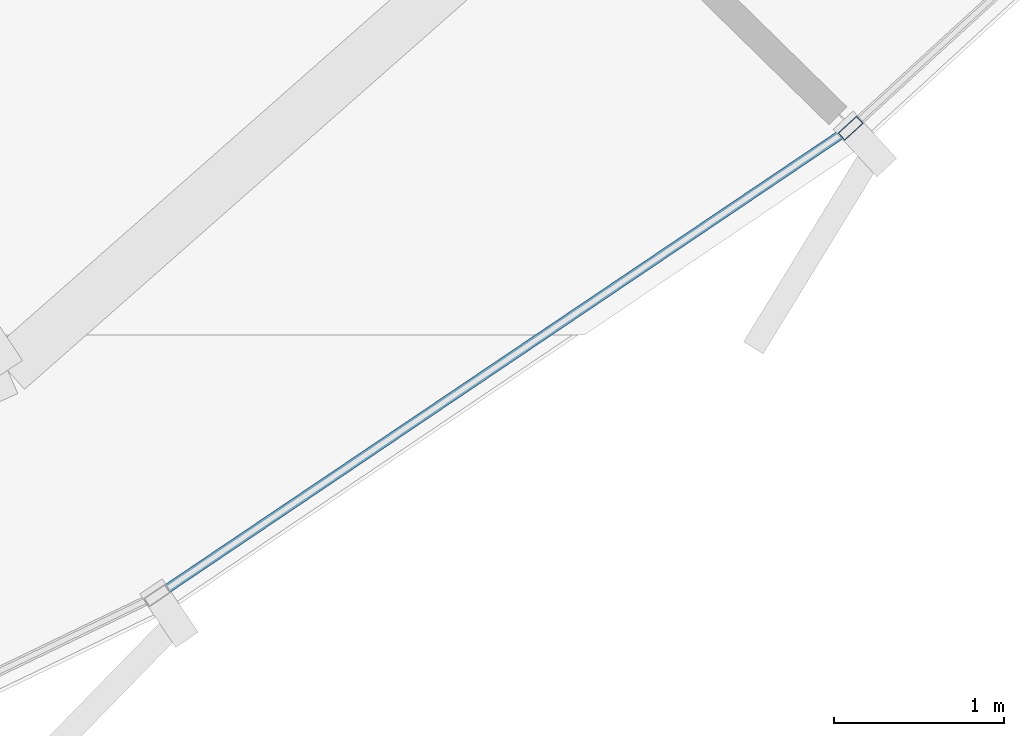
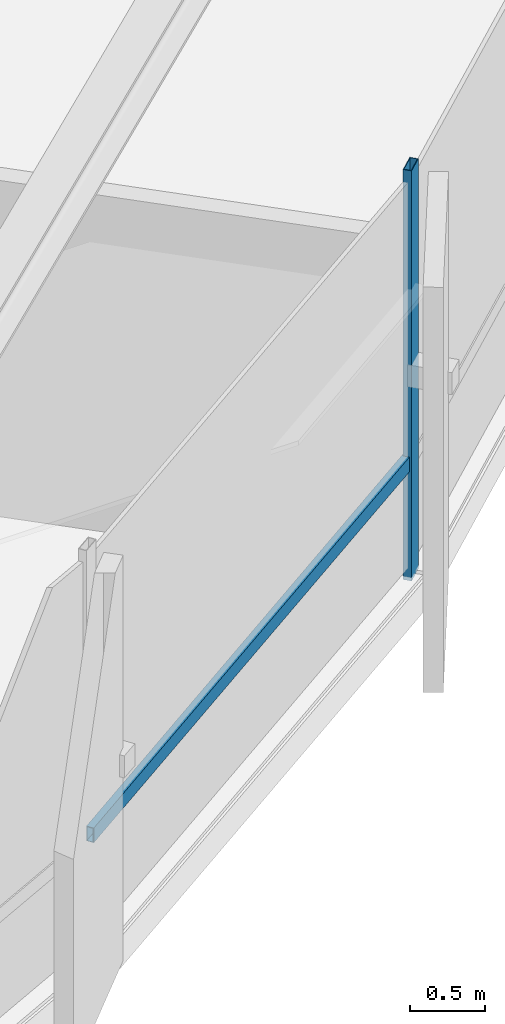
# One storey, part 12 of 35: 2 members, 1 element without a shape of its own.
"""IFC4 building model written with IfcOpenShell, lengths in metres."""

import ifcopenshell
import ifcopenshell.guid

model = None  # the IFC model being written
_history = None  # IfcOwnerHistory: only IFC2X3 demands one
_inside = {}  # id of a spatial element -> (the spatial element, [elements in it])
_under = {}  # id of a project, library or spatial element -> (it, [spatial elements below it])
_declared = {}  # id of a project -> (the project, [libraries it declares])
_typed = {}  # id of a type object -> (the type object, [elements of that type])
_made_of = {}  # id of a material, layer set ... -> (it, [elements and type objects made of it])


def new_model(schema):
    """Start an empty IFC model of exactly this schema.

    Asked for "IFC4X3", IfcOpenShell would pick the latest addendum, in which some entities
    have other attributes; the version numbers below select the first issue.
    IFC2X3 requires an IfcOwnerHistory on every rooted entity: one is made here for all.
    """
    global model, _history
    if schema == "IFC4X3":
        model = ifcopenshell.file(schema_version=(4, 3, 0, 0))
    else:
        model = ifcopenshell.file(schema=schema)
    _inside.clear()
    _under.clear()
    _declared.clear()
    _typed.clear()
    _made_of.clear()
    _history = None
    if model.schema == "IFC2X3":
        org = make("IfcOrganization", Name="unknown")
        user = make(
            "IfcPersonAndOrganization",
            ThePerson=make("IfcPerson", FamilyName="unknown"),
            TheOrganization=org,
        )
        app = make(
            "IfcApplication",
            ApplicationDeveloper=org,
            Version="unknown",
            ApplicationFullName="unknown",
            ApplicationIdentifier="unknown",
        )
        _history = make(
            "IfcOwnerHistory",
            OwningUser=user,
            OwningApplication=app,
            ChangeAction="ADDED",
            CreationDate=0,
        )
    return model


def make(cls, **values):
    """One entity of the class cls with the attributes given. An attribute that is None is left unset."""
    return model.create_entity(
        cls, **{name: value for name, value in values.items() if value is not None}
    )


def rooted(cls, **values):
    """An entity with a GlobalId (a new one), such as an element, a storey or a relation."""
    return make(cls, GlobalId=ifcopenshell.guid.new(), OwnerHistory=_history, **values)


def si_unit(unit_type, name, prefix=None):
    """IfcSIUnit, for example si_unit("LENGTHUNIT", "METRE", prefix="MILLI")."""
    return make("IfcSIUnit", UnitType=unit_type, Prefix=prefix, Name=name)


def assignment(units):
    """IfcUnitAssignment: the units of a project."""
    return None if units is None else make("IfcUnitAssignment", Units=units)


def point(xyz):
    """IfcCartesianPoint."""
    return None if xyz is None else make("IfcCartesianPoint", Coordinates=xyz)


def direction(xyz):
    """IfcDirection."""
    return None if xyz is None else make("IfcDirection", DirectionRatios=xyz)


def frame(location, z_axis=None, x_axis=None):
    """IfcAxis2Placement3D, a coordinate frame: its origin and axes. An axis left out is left unset."""
    return make(
        "IfcAxis2Placement3D",
        Location=point(location),
        Axis=direction(z_axis),
        RefDirection=direction(x_axis),
    )


def frame_2d(location, x_axis=None):
    """IfcAxis2Placement2D, a coordinate frame in the plane: its origin and x axis."""
    return make(
        "IfcAxis2Placement2D", Location=point(location), RefDirection=direction(x_axis)
    )


def origin():
    """The frame at (0, 0, 0) with its axes left unset."""
    return frame((0.0, 0.0, 0.0))


def origin_2d():
    """The frame at (0, 0) in the plane with its x axis left unset."""
    return frame_2d((0.0, 0.0))


def place(relative_to, where):
    """IfcLocalPlacement: puts the frame where relative to a parent placement (None: the world)."""
    return make(
        "IfcLocalPlacement", PlacementRelTo=relative_to, RelativePlacement=where
    )


def context(
    kind, dimensions, precision=None, world=None, true_north=None, identifier=None
):
    """IfcGeometricRepresentationContext, for example the 3D "Model" context."""
    return make(
        "IfcGeometricRepresentationContext",
        ContextIdentifier=identifier,
        ContextType=kind,
        CoordinateSpaceDimension=dimensions,
        Precision=precision,
        WorldCoordinateSystem=world,
        TrueNorth=true_north,
    )


def subcontext(parent, identifier, kind, view, scale=None):
    """IfcGeometricRepresentationSubContext, for example "Body" below "Model"."""
    return make(
        "IfcGeometricRepresentationSubContext",
        ContextIdentifier=identifier,
        ContextType=kind,
        ParentContext=parent,
        TargetScale=scale,
        TargetView=view,
    )


def project(units=None, contexts=None):
    """IfcProject with its units and contexts."""
    return rooted(
        "IfcProject",
        Name="project",
        RepresentationContexts=contexts,
        UnitsInContext=assignment(units),
    )


def spatial(cls, under=None, at=None, **own):
    """A site, building, storey or space (cls), placed at a placement, below another one or the project."""
    s = rooted(cls, ObjectPlacement=at, **own)
    if under is not None:
        _under.setdefault(under.id(), (under, []))[1].append(s)
    return s


def profile(cls, at=None, kind="AREA", **sizes):
    """A parametric profile (cls). Its sizes go by their IFC names, for example OverallWidth=200.0."""
    return make(cls, ProfileType=kind, Position=at, **sizes)


def hollow_rectangle(**sizes):
    """IfcRectangleHollowProfileDef."""
    return profile("IfcRectangleHollowProfileDef", **sizes)


def extrude(swept, where, along, depth):
    """IfcExtrudedAreaSolid: the profile swept, set in the frame where, extruded along a direction by depth."""
    return make(
        "IfcExtrudedAreaSolid",
        SweptArea=swept,
        Position=where,
        ExtrudedDirection=direction(along),
        Depth=depth,
    )


def shape(context_of_items, identifier, shape_type, items):
    """IfcShapeRepresentation: the items that make up one representation, for example the "Body"."""
    return make(
        "IfcShapeRepresentation",
        ContextOfItems=context_of_items,
        RepresentationIdentifier=identifier,
        RepresentationType=shape_type,
        Items=items,
    )


def source(mapping_origin, context_of_items, identifier, shape_type, items):
    """IfcRepresentationMap: a shape defined once, which mapped items show again and again."""
    return make(
        "IfcRepresentationMap",
        MappingOrigin=mapping_origin,
        MappedRepresentation=shape(context_of_items, identifier, shape_type, items),
    )


def transform(
    local_origin,
    x_axis=None,
    y_axis=None,
    z_axis=None,
    scale=None,
    scale2=None,
    scale3=None,
    uniform=True,
):
    """IfcCartesianTransformationOperator3D, or its non-uniform kind. x_axis, y_axis, z_axis: its Axis1, 2, 3."""
    if uniform:
        return make(
            "IfcCartesianTransformationOperator3D",
            Axis1=direction(x_axis),
            Axis2=direction(y_axis),
            LocalOrigin=point(local_origin),
            Scale=scale,
            Axis3=direction(z_axis),
        )
    return make(
        "IfcCartesianTransformationOperator3DnonUniform",
        Axis1=direction(x_axis),
        Axis2=direction(y_axis),
        LocalOrigin=point(local_origin),
        Scale=scale,
        Axis3=direction(z_axis),
        Scale2=scale2,
        Scale3=scale3,
    )


def mapped(mapping_source, mapping_target):
    """IfcMappedItem: shows the shape of a source again, moved by a transform."""
    return make(
        "IfcMappedItem", MappingSource=mapping_source, MappingTarget=mapping_target
    )


def material(Name=None, Category=None):
    """IfcMaterial."""
    return make("IfcMaterial", Name=Name, Category=Category)


def layer(
    of_material, thickness, ventilated=None, Name=None, Category=None, Priority=None
):
    """IfcMaterialLayer: one layer of a wall or slab, of a material (None: an air gap)."""
    return make(
        "IfcMaterialLayer",
        Material=of_material,
        LayerThickness=thickness,
        IsVentilated=ventilated,
        Name=Name,
        Category=Category,
        Priority=Priority,
    )


def layer_set(layers, Name=None):
    """IfcMaterialLayerSet."""
    return make("IfcMaterialLayerSet", MaterialLayers=layers, LayerSetName=Name)


def material_profile(
    of_material, cross_section, Name=None, Category=None, Priority=None
):
    """IfcMaterialProfile: a cross section and its material."""
    return make(
        "IfcMaterialProfile",
        Name=Name,
        Material=of_material,
        Profile=cross_section,
        Priority=Priority,
        Category=Category,
    )


def profile_set(profiles, Name=None, composite=None):
    """IfcMaterialProfileSet."""
    return make(
        "IfcMaterialProfileSet",
        Name=Name,
        MaterialProfiles=profiles,
        CompositeProfile=composite,
    )


def made_of(thing, what):
    """Note that an element or type object is made of a material, layer set ...; save() writes the relation."""
    if what is not None:
        _made_of.setdefault(what.id(), (what, []))[1].append(thing)
    return thing


def type_object(cls, material=None, **own):
    """A type object (cls), such as IfcWallType, which elements share."""
    return made_of(rooted(cls, **own), material)


def element(
    cls,
    number,
    at=None,
    inside=None,
    cuts=None,
    type_object=None,
    material=None,
    context=None,
    identifier="Body",
    shape_type=None,
    held_by="IfcProductDefinitionShape",
    body=None,
    shapes=None,
    **own,
):
    """One element of the class cls, such as IfcWall. Its Tag is "e" and its number.

    at: its placement. inside: the storey or other place that contains it. cuts: it is an
    opening in that element (IfcRelVoidsElement). A single representation is given by context,
    identifier, shape_type and body (its items); several are given by shapes. held_by: the class
    of the entity that holds the representations. save() writes the other relations.
    """
    e = rooted(cls, Tag="e%d" % number, ObjectPlacement=at, **own)
    if body is not None:
        shapes = [shape(context, identifier, shape_type, body)]
    if shapes is not None:
        e.Representation = make(held_by, Representations=shapes)
    if inside is not None:
        _inside.setdefault(inside.id(), (inside, []))[1].append(e)
    if cuts is not None:
        rooted(
            "IfcRelVoidsElement", RelatingBuildingElement=cuts, RelatedOpeningElement=e
        )
    if type_object is not None:
        _typed.setdefault(type_object.id(), (type_object, []))[1].append(e)
    return made_of(e, material)


def aggregate(whole, parts):
    """IfcRelAggregates: a whole, such as a stair, and the parts it consists of."""
    return rooted("IfcRelAggregates", RelatingObject=whole, RelatedObjects=parts)


def save(model, path):
    """Write the relations noted so far, then the file.

    IfcRelAggregates (storeys below a building ...), IfcRelContainedInSpatialStructure (elements
    in a storey), IfcRelDefinesByType, IfcRelAssociatesMaterial and IfcRelDeclares: one each for
    every whole, place, type object, material and project.
    """
    for whole, parts in _under.values():
        aggregate(whole, parts)
    for where, things in _inside.values():
        rooted(
            "IfcRelContainedInSpatialStructure",
            RelatedElements=things,
            RelatingStructure=where,
        )
    for kind, things in _typed.values():
        rooted("IfcRelDefinesByType", RelatedObjects=things, RelatingType=kind)
    for what, things in _made_of.values():
        rooted("IfcRelAssociatesMaterial", RelatedObjects=things, RelatingMaterial=what)
    for by, libraries in _declared.values():
        rooted("IfcRelDeclares", RelatingContext=by, RelatedDefinitions=libraries)
    model.write(path)


model = new_model("IFC4")

# Units and contexts
model_context = context("Model", 3, precision=1e-05, world=origin(), true_north=direction((0.0, 1.0)))
body_context = subcontext(model_context, "Body", "Model", "MODEL_VIEW")
ifc_project = project(units=[si_unit("LENGTHUNIT", "METRE"), si_unit("AREAUNIT", "SQUARE_METRE"), si_unit("VOLUMEUNIT", "CUBIC_METRE"), si_unit("PLANEANGLEUNIT", "RADIAN"), si_unit("MASSUNIT", "GRAM", prefix="KILO"), si_unit("THERMODYNAMICTEMPERATUREUNIT", "KELVIN")], contexts=[model_context])

# Site, building, storey
site_placement = place(None, origin())
site = spatial("IfcSite", under=ifc_project, at=site_placement, CompositionType="ELEMENT")
building_placement = place(site_placement, origin())
building = spatial("IfcBuilding", under=site, at=building_placement, Name="Kethvar Cultural Tower", CompositionType="ELEMENT")
storey_placement = place(building_placement, frame((0.0, 0.0, 121.60009765625)))
storey = spatial("IfcBuildingStorey", under=building, at=storey_placement, Name="L30", CompositionType="ELEMENT", Elevation=121.60009765625)

# Curtain wall, members
ifc_material = material(Name="Aluminium 6063-T6", Category="aluminium")
ifc_layer = layer(ifc_material, 0.179931640625, Name="Aluminium 6063-T6", Category="aluminium")
ifc_layer_set = layer_set([ifc_layer], Name="Aluminium 6063-T6 (180 mm)")
curtain_wall_type = type_object("IfcCurtainWallType", Name="CW-SYS-03-Z2", PredefinedType="NOTDEFINED", material=ifc_layer_set)
curtain_wall_placement = place(storey_placement, origin())
curtain_wall = element("IfcCurtainWall", 1, at=curtain_wall_placement, inside=storey, type_object=curtain_wall_type, Name="L30 Curtain Wall Run 06", PredefinedType="NOTDEFINED")
ifc_material_profile_1 = material_profile(ifc_material, hollow_rectangle(XDim=0.06005859375, YDim=0.14990234375, WallThickness=0.0048828125, at=origin_2d()), Name="Aluminium 6063-T6 — RHS150x60x5")
ifc_profile_set_1 = profile_set([ifc_material_profile_1], Name="Aluminium 6063-T6 — RHS150x60x5")
member_type_1 = type_object("IfcMemberType", Name="CW-SYS-03-Z2-MUL", PredefinedType="MULLION", material=ifc_profile_set_1)
shared_shape_1 = source(origin(), body_context, "Body", "SweptSolid", [
    extrude(hollow_rectangle(XDim=0.06005859375, YDim=0.14990234375, WallThickness=0.0048828125, at=origin_2d()), origin(), (0.0, 0.0, 1.0), 3.349853515625),
])
member_1_placement = place(storey_placement, frame((63.990966796875, 10.939208984375, 0.0), z_axis=(0.0, 0.0, 1.0), x_axis=(-0.675860388489, 0.73702967055, 0.0)))
member_1 = element("IfcMember", 2, at=member_1_placement, type_object=member_type_1, Name="CW-L30-R06 Mullion 3", PredefinedType="MULLION", context=body_context, shape_type="MappedRepresentation", body=[
    mapped(shared_shape_1, transform((0.0, 0.0, 0.0), scale=1.0)),
])
ifc_material_profile_2 = material_profile(ifc_material, hollow_rectangle(XDim=0.054931640625, YDim=0.1201171875, WallThickness=0.00390625, at=origin_2d()), Name="Aluminium 6063-T6 — RHS120x55x4")
ifc_profile_set_2 = profile_set([ifc_material_profile_2], Name="Aluminium 6063-T6 — RHS120x55x4")
member_type_2 = type_object("IfcMemberType", Name="CW-SYS-03-Z2-TRN", PredefinedType="USERDEFINED", material=ifc_profile_set_2)
shared_shape_2 = source(origin(), body_context, "Body", "SweptSolid", [
    extrude(hollow_rectangle(XDim=0.054931640625, YDim=0.1201171875, WallThickness=0.00390625, at=origin_2d()), origin(), (0.0, 0.0, 1.0), 4.862060546875),
])
member_2_placement = place(storey_placement, frame((59.93701171875, 8.20751953125, 0.949951171875), z_axis=(0.829157648233, 0.559014842716, 0.0), x_axis=(-0.559014842716, 0.829157648233, 0.0)))
member_2 = element("IfcMember", 3, at=member_2_placement, type_object=member_type_2, Name="CW-L30-R06 Transom 2", ObjectType="TRANSOM", PredefinedType="USERDEFINED", context=body_context, shape_type="MappedRepresentation", body=[
    mapped(shared_shape_2, transform((0.0, 0.0, 0.0), scale=1.0)),
])
aggregate(curtain_wall, [member_1, member_2])

save(model, "model.ifc")
